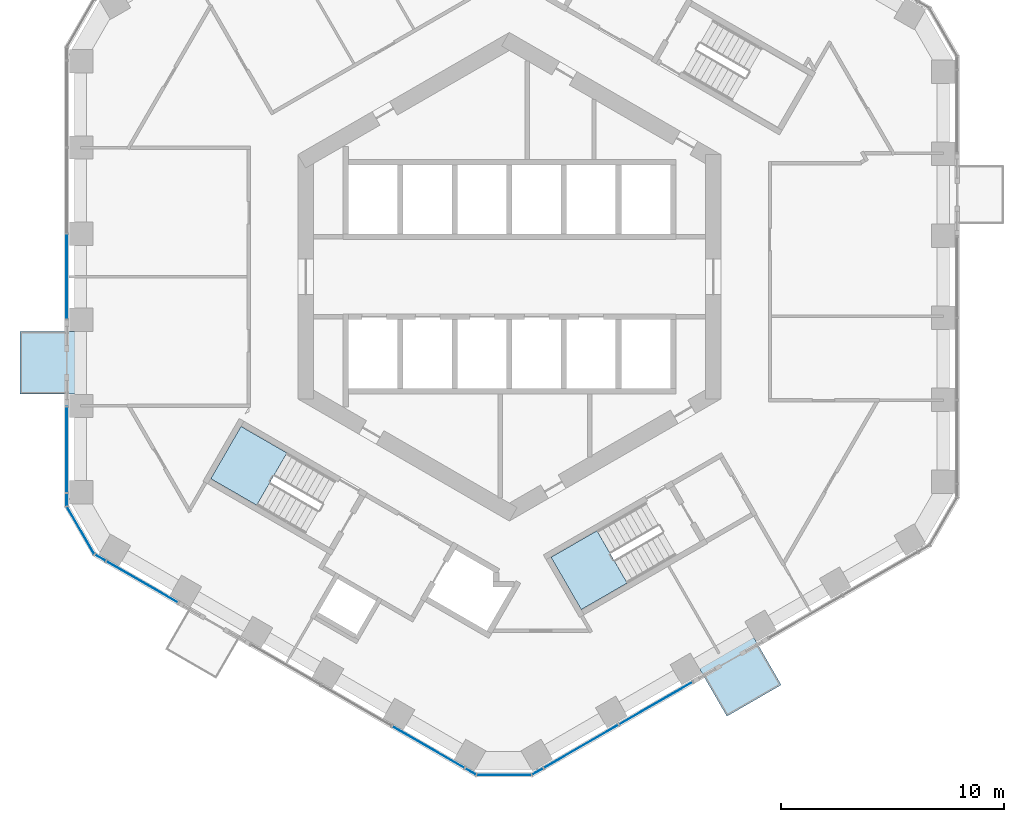
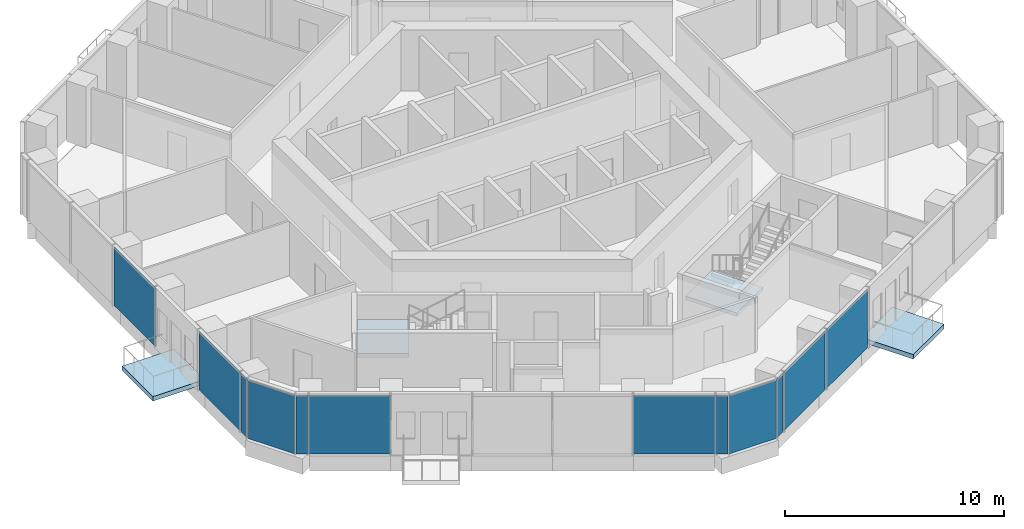
# One storey, part 9 of 20: 12 plates, 4 slabs, 9 elements without a shape of their own.
"""IFC4 building model written with IfcOpenShell, lengths in metres."""

from ifc_helpers import new_model, si_unit, direction, frame, origin, origin_2d, place, context, subcontext, project, spatial, polyline, rectangle, outline, extrude, material, layer, layer_set, type_object, element, aggregate, save


model = new_model("IFC4")

# Units and contexts
model_context = context("Model", 3, precision=1e-05, world=origin(), true_north=direction((0.0, 1.0)))
body_context = subcontext(model_context, "Body", "Model", "MODEL_VIEW")
ifc_project = project(units=[si_unit("LENGTHUNIT", "METRE"), si_unit("AREAUNIT", "SQUARE_METRE"), si_unit("VOLUMEUNIT", "CUBIC_METRE"), si_unit("PLANEANGLEUNIT", "RADIAN"), si_unit("MASSUNIT", "GRAM", prefix="KILO")], contexts=[model_context])

# Site, building, storey
site_placement = place(None, origin())
site = spatial("IfcSite", under=ifc_project, at=site_placement, CompositionType="ELEMENT")
building_placement = place(site_placement, origin())
building = spatial("IfcBuilding", under=site, at=building_placement, Name="Ayvan Gate Tower", CompositionType="ELEMENT")
storey_placement = place(building_placement, frame((0.0, 0.0, 96.699951171875)))
storey = spatial("IfcBuildingStorey", under=building, at=storey_placement, Name="L25", CompositionType="ELEMENT", Elevation=96.699951171875)

# Slabs
ifc_material_1 = material(Name="Concrete C40/50", Category="concrete")
ifc_layer_1 = layer(ifc_material_1, 0.25)
ifc_layer_set_1 = layer_set([ifc_layer_1], Name="Concrete C40/50")
slab_type_1 = type_object("IfcSlabType", Name="Balcony slab 250", PredefinedType="FLOOR", material=ifc_layer_set_1)
slab_1_placement = place(storey_placement, frame((0.0, 0.0, -0.25)))
element("IfcSlab", 1, at=slab_1_placement, inside=storey, type_object=slab_type_1, Name="Balcony slab BAL-L25-3", PredefinedType="FLOOR", context=body_context, shape_type="SweptSolid", body=[
    extrude(outline(polyline([(-19.248291015625, -2.4560546875), (-19.248291015625, -5.26806640625), (-21.97314453125, -5.26806640625), (-21.97314453125, -2.4560546875), (-19.248291015625, -2.4560546875)])), origin(), (0.0, 0.0, 1.0), 0.25),
])
slab_2_placement = place(storey_placement, frame((0.0, 0.0, -0.25)))
element("IfcSlab", 2, at=slab_2_placement, inside=storey, type_object=slab_type_1, Name="Balcony slab BAL-L25-5", PredefinedType="FLOOR", context=body_context, shape_type="SweptSolid", body=[
    extrude(outline(polyline([(8.406494140625, -17.372314453125), (10.841796875, -15.96630859375), (12.2041015625, -18.326416015625), (9.76904296875, -19.732421875), (8.406494140625, -17.372314453125)])), origin(), (0.0, 0.0, 1.0), 0.25),
])

# Stair, slab
stair_type = type_object("IfcStairType", Name="ST-EXIT", PredefinedType="HALF_TURN_STAIR", material=ifc_material_1)
stair_1_placement = place(storey_placement, origin())
stair_1 = element("IfcStair", 3, at=stair_1_placement, inside=storey, type_object=stair_type, Name="L25 Exit Stair S2", PredefinedType="HALF_TURN_STAIR")
ifc_layer_2 = layer(ifc_material_1, 0.199951171875)
ifc_layer_set_2 = layer_set([ifc_layer_2], Name="Concrete C40/50")
slab_type_2 = type_object("IfcSlabType", Name="SL-LANDING-200", PredefinedType="LANDING", material=ifc_layer_set_2)
slab_3_placement = place(storey_placement, frame((0.0, 0.0, 1.5)))
slab_3 = element("IfcSlab", 4, at=slab_3_placement, type_object=slab_type_2, Name="STS2 landing 1", PredefinedType="LANDING", context=body_context, shape_type="SweptSolid", body=[
    extrude(outline(polyline([(-9.988525390625, -7.91064453125), (-12.049560546875, -6.720458984375), (-13.404541015625, -9.0673828125), (-11.343505859375, -10.257568359375), (-9.988525390625, -7.91064453125)])), origin(), (0.0, 0.0, 1.0), 0.199951171875),
])
aggregate(stair_1, [slab_3])

stair_2_placement = place(storey_placement, origin())
stair_2 = element("IfcStair", 5, at=stair_2_placement, inside=storey, type_object=stair_type, Name="L25 Exit Stair S3", PredefinedType="HALF_TURN_STAIR")
slab_4_placement = place(storey_placement, frame((0.0, 0.0, 1.5)))
slab_4 = element("IfcSlab", 6, at=slab_4_placement, type_object=slab_type_2, Name="STS3 landing 1", PredefinedType="LANDING", context=body_context, shape_type="SweptSolid", body=[
    extrude(outline(polyline([(3.93505859375, -11.405517578125), (1.873779296875, -12.595458984375), (3.228759765625, -14.9423828125), (5.2900390625, -13.75244140625), (3.93505859375, -11.405517578125)])), origin(), (0.0, 0.0, 1.0), 0.199951171875),
])
aggregate(stair_2, [slab_4])

# Curtain wall, plate
ifc_material_2 = material(Name="Bronze anodised aluminium", Category="aluminium")
ifc_layer_3 = layer(ifc_material_2, 0.199951171875)
ifc_layer_set_3 = layer_set([ifc_layer_3], Name="Bronze anodised aluminium")
curtain_wall_type_1 = type_object("IfcCurtainWallType", Name="Stick curtain wall CW-1", PredefinedType="NOTDEFINED", material=ifc_layer_set_3)
curtain_wall_1_placement = place(storey_placement, origin())
curtain_wall_1 = element("IfcCurtainWall", 7, at=curtain_wall_1_placement, inside=storey, type_object=curtain_wall_type_1, Name="Stick curtain wall CW-1 L25", PredefinedType="NOTDEFINED")
ifc_material_3 = material(Name="Clear low-iron laminated glass", Category="glass")
ifc_layer_4 = layer(ifc_material_3, 0.028076171875)
ifc_layer_set_4 = layer_set([ifc_layer_4], Name="Clear low-iron laminated glass")
plate_type_1 = type_object("IfcPlateType", Name="Stick curtain wall CW-1 glass panel", PredefinedType="CURTAIN_PANEL", material=ifc_layer_set_4)
plate_1_placement = place(storey_placement, frame((-19.873291015625, -0.000244140625, 0.0), z_axis=(0.0, 0.0, 1.0), x_axis=(0.0, -1.0, 0.0)))
plate_1 = element("IfcPlate", 8, at=plate_1_placement, type_object=plate_type_1, Name="CW-1 glass panel 3", PredefinedType="CURTAIN_PANEL", context=body_context, shape_type="SweptSolid", body=[
    extrude(rectangle(XDim=3.80908203125, YDim=0.028076171875, at=origin_2d()), origin(), (0.0, 0.0, 1.0), 3.280029296875),
])
aggregate(curtain_wall_1, [plate_1])

curtain_wall_2_placement = place(storey_placement, origin())
curtain_wall_2 = element("IfcCurtainWall", 9, at=curtain_wall_2_placement, inside=storey, type_object=curtain_wall_type_1, Name="Stick curtain wall CW-1 L25", PredefinedType="NOTDEFINED")
plate_2_placement = place(storey_placement, frame((-19.873291015625, -7.7705078125, 0.0), z_axis=(0.0, 0.0, 1.0), x_axis=(0.0, -1.0, 0.0)))
plate_2 = element("IfcPlate", 10, at=plate_2_placement, type_object=plate_type_1, Name="CW-1 glass panel 1", PredefinedType="CURTAIN_PANEL", context=body_context, shape_type="SweptSolid", body=[
    extrude(rectangle(XDim=3.87353515625, YDim=0.028076171875, at=origin_2d()), origin(), (0.0, 0.0, 1.0), 3.280029296875),
])
aggregate(curtain_wall_2, [plate_2])

curtain_wall_3_placement = place(storey_placement, origin())
curtain_wall_3 = element("IfcCurtainWall", 11, at=curtain_wall_3_placement, inside=storey, type_object=curtain_wall_type_1, Name="Stick curtain wall CW-1 L25", PredefinedType="NOTDEFINED")
plate_3_placement = place(storey_placement, frame((-16.486572265625, -13.703125, 0.0), z_axis=(0.0, 0.0, 1.0), x_axis=(0.866025403784, -0.5, 0.0)))
plate_3 = element("IfcPlate", 12, at=plate_3_placement, type_object=plate_type_1, Name="CW-1 glass panel 1", PredefinedType="CURTAIN_PANEL", context=body_context, shape_type="SweptSolid", body=[
    extrude(rectangle(XDim=3.739990234375, YDim=0.028076171875, at=origin_2d()), origin(), (0.0, 0.0, 1.0), 3.280029296875),
])
aggregate(curtain_wall_3, [plate_3])

curtain_wall_4_placement = place(storey_placement, origin())
curtain_wall_4 = element("IfcCurtainWall", 13, at=curtain_wall_4_placement, inside=storey, type_object=curtain_wall_type_1, Name="Stick curtain wall CW-1 L25", PredefinedType="NOTDEFINED")
plate_4_placement = place(storey_placement, frame((-3.624267578125, -21.129150390625, 0.0), z_axis=(0.0, 0.0, 1.0), x_axis=(0.866025403784, -0.5, 0.0)))
plate_4 = element("IfcPlate", 14, at=plate_4_placement, type_object=plate_type_1, Name="CW-1 glass panel 3", PredefinedType="CURTAIN_PANEL", context=body_context, shape_type="SweptSolid", body=[
    extrude(rectangle(XDim=3.740234375, YDim=0.028076171875, at=origin_2d()), origin(), (0.0, 0.0, 1.0), 3.280029296875),
])
aggregate(curtain_wall_4, [plate_4])

# Curtain wall, plates
curtain_wall_5_placement = place(storey_placement, origin())
curtain_wall_5 = element("IfcCurtainWall", 15, at=curtain_wall_5_placement, inside=storey, type_object=curtain_wall_type_1, Name="Stick curtain wall CW-1 L25", PredefinedType="NOTDEFINED")
plate_5_placement = place(storey_placement, frame((3.207275390625, -21.095947265625, 0.0), z_axis=(0.0, 0.0, 1.0), x_axis=(0.866025403784, 0.5, 0.0)))
plate_5 = element("IfcPlate", 16, at=plate_5_placement, type_object=plate_type_1, Name="CW-1 glass panel 1", PredefinedType="CURTAIN_PANEL", context=body_context, shape_type="SweptSolid", body=[
    extrude(rectangle(XDim=3.8740234375, YDim=0.028076171875, at=origin_2d()), origin(), (0.0, 0.0, 1.0), 3.280029296875),
])
plate_6_placement = place(storey_placement, frame((6.586181640625, -19.14501953125, 0.0), z_axis=(0.0, 0.0, 1.0), x_axis=(0.866025403784, 0.5, 0.0)))
plate_6 = element("IfcPlate", 17, at=plate_6_placement, type_object=plate_type_1, Name="CW-1 glass panel 2", PredefinedType="CURTAIN_PANEL", context=body_context, shape_type="SweptSolid", body=[
    extrude(rectangle(XDim=3.80908203125, YDim=0.028076171875, at=origin_2d()), origin(), (0.0, 0.0, 1.0), 3.280029296875),
])
aggregate(curtain_wall_5, [plate_5, plate_6])

ifc_layer_5 = layer(ifc_material_2, 0.199951171875)
ifc_layer_set_5 = layer_set([ifc_layer_5], Name="Bronze anodised aluminium")
curtain_wall_type_2 = type_object("IfcCurtainWallType", Name="Stick curtain wall CW-6", PredefinedType="NOTDEFINED", material=ifc_layer_set_5)
curtain_wall_6_placement = place(storey_placement, origin())
curtain_wall_6 = element("IfcCurtainWall", 18, at=curtain_wall_6_placement, inside=storey, type_object=curtain_wall_type_2, Name="Stick curtain wall CW-6 L25", PredefinedType="NOTDEFINED")
ifc_layer_6 = layer(ifc_material_3, 0.028076171875)
ifc_layer_set_6 = layer_set([ifc_layer_6], Name="Clear low-iron laminated glass")
plate_type_2 = type_object("IfcPlateType", Name="Stick curtain wall CW-6 glass panel", PredefinedType="CURTAIN_PANEL", material=ifc_layer_set_6)
plate_7_placement = place(storey_placement, frame((-19.873291015625, -10.01220703125, 0.0), z_axis=(0.0, 0.0, 1.0), x_axis=(0.0, -1.0, 0.0)))
plate_7 = element("IfcPlate", 19, at=plate_7_placement, type_object=plate_type_2, Name="CW-6 glass panel 1", PredefinedType="CURTAIN_PANEL", context=body_context, shape_type="SweptSolid", body=[
    extrude(rectangle(XDim=0.550048828125, YDim=0.028076171875, at=origin_2d()), origin(), (0.0, 0.0, 1.0), 3.280029296875),
])
plate_8_placement = place(storey_placement, frame((-19.25146484375, -11.388916015625, 0.0), z_axis=(0.0, 0.0, 1.0), x_axis=(0.5, -0.866025403784, 0.0)))
plate_8 = element("IfcPlate", 20, at=plate_8_placement, type_object=plate_type_2, Name="CW-6 glass panel 2", PredefinedType="CURTAIN_PANEL", context=body_context, shape_type="SweptSolid", body=[
    extrude(rectangle(XDim=2.4365234375, YDim=0.028076171875, at=origin_2d()), origin(), (0.0, 0.0, 1.0), 3.280029296875),
])
plate_9_placement = place(storey_placement, frame((-18.3701171875, -12.61572265625, 0.0), z_axis=(0.0, 0.0, 1.0), x_axis=(0.866025403784, -0.5, 0.0)))
plate_9 = element("IfcPlate", 21, at=plate_9_placement, type_object=plate_type_2, Name="CW-6 glass panel 3", PredefinedType="CURTAIN_PANEL", context=body_context, shape_type="SweptSolid", body=[
    extrude(rectangle(XDim=0.550048828125, YDim=0.028076171875, at=origin_2d()), origin(), (0.0, 0.0, 1.0), 3.280029296875),
])
aggregate(curtain_wall_6, [plate_7, plate_8, plate_9])

curtain_wall_7_placement = place(storey_placement, origin())
curtain_wall_7 = element("IfcCurtainWall", 22, at=curtain_wall_7_placement, inside=storey, type_object=curtain_wall_type_2, Name="Stick curtain wall CW-6 L25", PredefinedType="NOTDEFINED")
plate_10_placement = place(storey_placement, frame((-1.740478515625, -22.216796875, 0.0), z_axis=(0.0, 0.0, 1.0), x_axis=(0.866025403784, -0.5, 0.0)))
plate_10 = element("IfcPlate", 23, at=plate_10_placement, type_object=plate_type_2, Name="CW-6 glass panel 1", PredefinedType="CURTAIN_PANEL", context=body_context, shape_type="SweptSolid", body=[
    extrude(rectangle(XDim=0.550048828125, YDim=0.028076171875, at=origin_2d()), origin(), (0.0, 0.0, 1.0), 3.280029296875),
])
plate_11_placement = place(storey_placement, frame((-0.2373046875, -22.366943359375, 0.0), z_axis=(0.0, 0.0, 1.0), x_axis=(1.0, 0.0, 0.0)))
plate_11 = element("IfcPlate", 24, at=plate_11_placement, type_object=plate_type_2, Name="CW-6 glass panel 2", PredefinedType="CURTAIN_PANEL", context=body_context, shape_type="SweptSolid", body=[
    extrude(rectangle(XDim=2.4365234375, YDim=0.028076171875, at=origin_2d()), origin(), (0.0, 0.0, 1.0), 3.280029296875),
])
plate_12_placement = place(storey_placement, frame((1.265625, -22.216796875, 0.0), z_axis=(0.0, 0.0, 1.0), x_axis=(0.866025403784, 0.5, 0.0)))
plate_12 = element("IfcPlate", 25, at=plate_12_placement, type_object=plate_type_2, Name="CW-6 glass panel 3", PredefinedType="CURTAIN_PANEL", context=body_context, shape_type="SweptSolid", body=[
    extrude(rectangle(XDim=0.550048828125, YDim=0.028076171875, at=origin_2d()), origin(), (0.0, 0.0, 1.0), 3.280029296875),
])
aggregate(curtain_wall_7, [plate_10, plate_11, plate_12])

save(model, "model.ifc")
